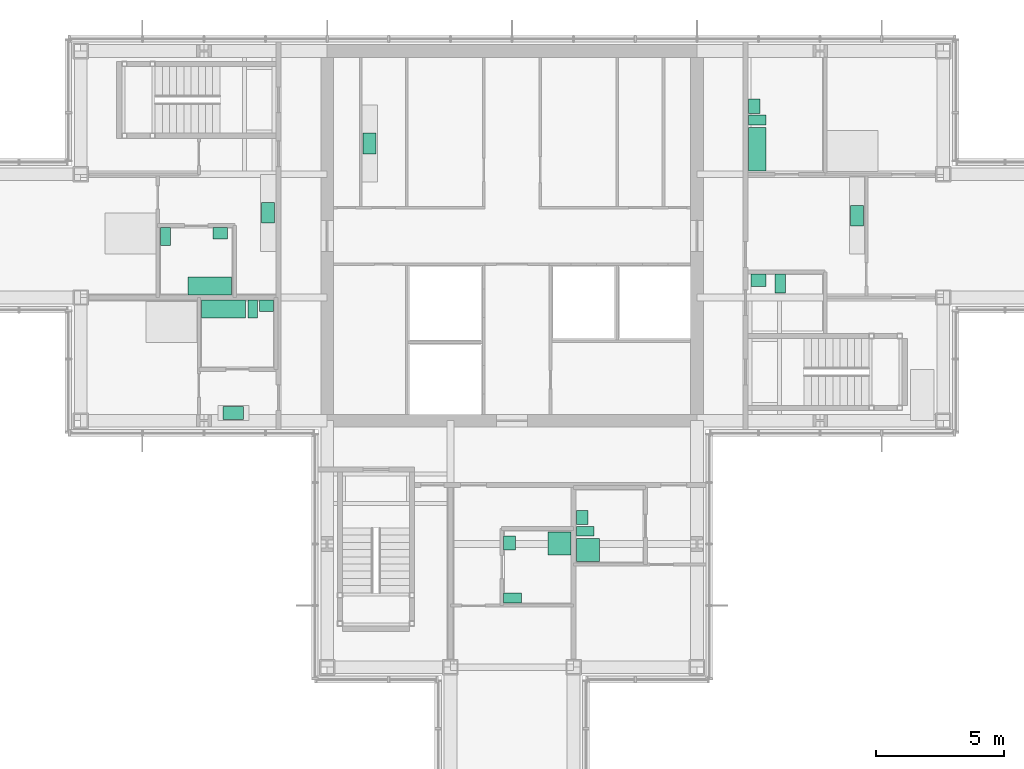
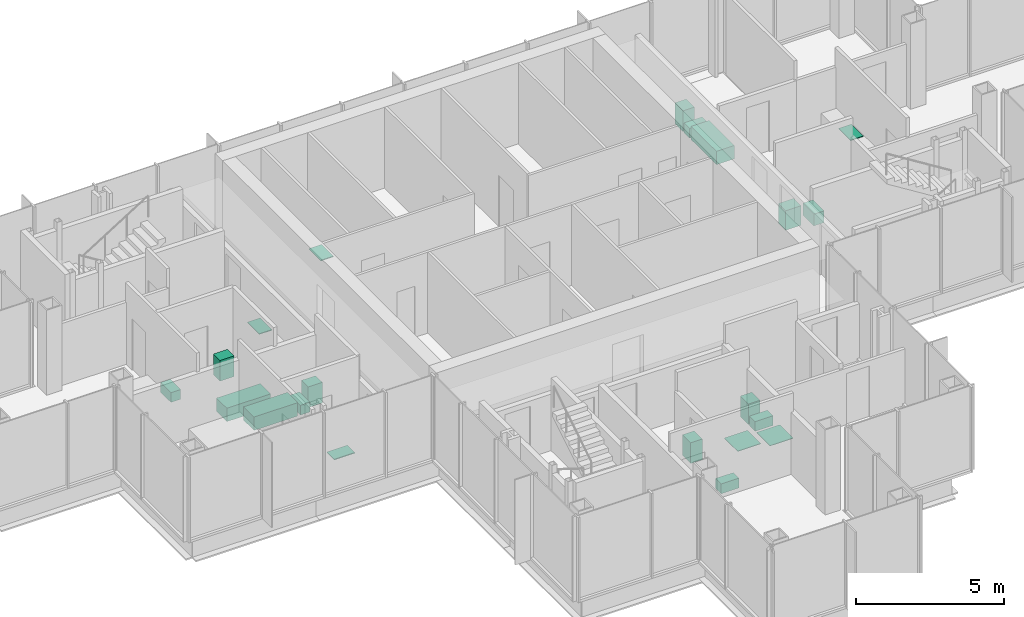
# One storey, part 14 of 15: 21 sanitary terminals.
"""IFC4 building model written with IfcOpenShell, lengths in metres."""

import ifcopenshell
import ifcopenshell.guid

model = None  # the IFC model being written
_history = None  # IfcOwnerHistory: only IFC2X3 demands one
_inside = {}  # id of a spatial element -> (the spatial element, [elements in it])
_under = {}  # id of a project, library or spatial element -> (it, [spatial elements below it])
_declared = {}  # id of a project -> (the project, [libraries it declares])
_typed = {}  # id of a type object -> (the type object, [elements of that type])
_made_of = {}  # id of a material, layer set ... -> (it, [elements and type objects made of it])


def new_model(schema):
    """Start an empty IFC model of exactly this schema.

    Asked for "IFC4X3", IfcOpenShell would pick the latest addendum, in which some entities
    have other attributes; the version numbers below select the first issue.
    IFC2X3 requires an IfcOwnerHistory on every rooted entity: one is made here for all.
    """
    global model, _history
    if schema == "IFC4X3":
        model = ifcopenshell.file(schema_version=(4, 3, 0, 0))
    else:
        model = ifcopenshell.file(schema=schema)
    _inside.clear()
    _under.clear()
    _declared.clear()
    _typed.clear()
    _made_of.clear()
    _history = None
    if model.schema == "IFC2X3":
        org = make("IfcOrganization", Name="unknown")
        user = make(
            "IfcPersonAndOrganization",
            ThePerson=make("IfcPerson", FamilyName="unknown"),
            TheOrganization=org,
        )
        app = make(
            "IfcApplication",
            ApplicationDeveloper=org,
            Version="unknown",
            ApplicationFullName="unknown",
            ApplicationIdentifier="unknown",
        )
        _history = make(
            "IfcOwnerHistory",
            OwningUser=user,
            OwningApplication=app,
            ChangeAction="ADDED",
            CreationDate=0,
        )
    return model


def make(cls, **values):
    """One entity of the class cls with the attributes given. An attribute that is None is left unset."""
    return model.create_entity(
        cls, **{name: value for name, value in values.items() if value is not None}
    )


def rooted(cls, **values):
    """An entity with a GlobalId (a new one), such as an element, a storey or a relation."""
    return make(cls, GlobalId=ifcopenshell.guid.new(), OwnerHistory=_history, **values)


def si_unit(unit_type, name, prefix=None):
    """IfcSIUnit, for example si_unit("LENGTHUNIT", "METRE", prefix="MILLI")."""
    return make("IfcSIUnit", UnitType=unit_type, Prefix=prefix, Name=name)


def assignment(units):
    """IfcUnitAssignment: the units of a project."""
    return None if units is None else make("IfcUnitAssignment", Units=units)


def point(xyz):
    """IfcCartesianPoint."""
    return None if xyz is None else make("IfcCartesianPoint", Coordinates=xyz)


def direction(xyz):
    """IfcDirection."""
    return None if xyz is None else make("IfcDirection", DirectionRatios=xyz)


def frame(location, z_axis=None, x_axis=None):
    """IfcAxis2Placement3D, a coordinate frame: its origin and axes. An axis left out is left unset."""
    return make(
        "IfcAxis2Placement3D",
        Location=point(location),
        Axis=direction(z_axis),
        RefDirection=direction(x_axis),
    )


def frame_2d(location, x_axis=None):
    """IfcAxis2Placement2D, a coordinate frame in the plane: its origin and x axis."""
    return make(
        "IfcAxis2Placement2D", Location=point(location), RefDirection=direction(x_axis)
    )


def origin():
    """The frame at (0, 0, 0) with its axes left unset."""
    return frame((0.0, 0.0, 0.0))


def origin_2d():
    """The frame at (0, 0) in the plane with its x axis left unset."""
    return frame_2d((0.0, 0.0))


def place(relative_to, where):
    """IfcLocalPlacement: puts the frame where relative to a parent placement (None: the world)."""
    return make(
        "IfcLocalPlacement", PlacementRelTo=relative_to, RelativePlacement=where
    )


def context(
    kind, dimensions, precision=None, world=None, true_north=None, identifier=None
):
    """IfcGeometricRepresentationContext, for example the 3D "Model" context."""
    return make(
        "IfcGeometricRepresentationContext",
        ContextIdentifier=identifier,
        ContextType=kind,
        CoordinateSpaceDimension=dimensions,
        Precision=precision,
        WorldCoordinateSystem=world,
        TrueNorth=true_north,
    )


def subcontext(parent, identifier, kind, view, scale=None):
    """IfcGeometricRepresentationSubContext, for example "Body" below "Model"."""
    return make(
        "IfcGeometricRepresentationSubContext",
        ContextIdentifier=identifier,
        ContextType=kind,
        ParentContext=parent,
        TargetScale=scale,
        TargetView=view,
    )


def project(units=None, contexts=None):
    """IfcProject with its units and contexts."""
    return rooted(
        "IfcProject",
        Name="project",
        RepresentationContexts=contexts,
        UnitsInContext=assignment(units),
    )


def spatial(cls, under=None, at=None, **own):
    """A site, building, storey or space (cls), placed at a placement, below another one or the project."""
    s = rooted(cls, ObjectPlacement=at, **own)
    if under is not None:
        _under.setdefault(under.id(), (under, []))[1].append(s)
    return s


def profile(cls, at=None, kind="AREA", **sizes):
    """A parametric profile (cls). Its sizes go by their IFC names, for example OverallWidth=200.0."""
    return make(cls, ProfileType=kind, Position=at, **sizes)


def rectangle(**sizes):
    """IfcRectangleProfileDef."""
    return profile("IfcRectangleProfileDef", **sizes)


def extrude(swept, where, along, depth):
    """IfcExtrudedAreaSolid: the profile swept, set in the frame where, extruded along a direction by depth."""
    return make(
        "IfcExtrudedAreaSolid",
        SweptArea=swept,
        Position=where,
        ExtrudedDirection=direction(along),
        Depth=depth,
    )


def shape(context_of_items, identifier, shape_type, items):
    """IfcShapeRepresentation: the items that make up one representation, for example the "Body"."""
    return make(
        "IfcShapeRepresentation",
        ContextOfItems=context_of_items,
        RepresentationIdentifier=identifier,
        RepresentationType=shape_type,
        Items=items,
    )


def material(Name=None, Category=None):
    """IfcMaterial."""
    return make("IfcMaterial", Name=Name, Category=Category)


def made_of(thing, what):
    """Note that an element or type object is made of a material, layer set ...; save() writes the relation."""
    if what is not None:
        _made_of.setdefault(what.id(), (what, []))[1].append(thing)
    return thing


def type_object(cls, material=None, **own):
    """A type object (cls), such as IfcWallType, which elements share."""
    return made_of(rooted(cls, **own), material)


def element(
    cls,
    number,
    at=None,
    inside=None,
    cuts=None,
    type_object=None,
    material=None,
    context=None,
    identifier="Body",
    shape_type=None,
    held_by="IfcProductDefinitionShape",
    body=None,
    shapes=None,
    **own,
):
    """One element of the class cls, such as IfcWall. Its Tag is "e" and its number.

    at: its placement. inside: the storey or other place that contains it. cuts: it is an
    opening in that element (IfcRelVoidsElement). A single representation is given by context,
    identifier, shape_type and body (its items); several are given by shapes. held_by: the class
    of the entity that holds the representations. save() writes the other relations.
    """
    e = rooted(cls, Tag="e%d" % number, ObjectPlacement=at, **own)
    if body is not None:
        shapes = [shape(context, identifier, shape_type, body)]
    if shapes is not None:
        e.Representation = make(held_by, Representations=shapes)
    if inside is not None:
        _inside.setdefault(inside.id(), (inside, []))[1].append(e)
    if cuts is not None:
        rooted(
            "IfcRelVoidsElement", RelatingBuildingElement=cuts, RelatedOpeningElement=e
        )
    if type_object is not None:
        _typed.setdefault(type_object.id(), (type_object, []))[1].append(e)
    return made_of(e, material)


def aggregate(whole, parts):
    """IfcRelAggregates: a whole, such as a stair, and the parts it consists of."""
    return rooted("IfcRelAggregates", RelatingObject=whole, RelatedObjects=parts)


def save(model, path):
    """Write the relations noted so far, then the file.

    IfcRelAggregates (storeys below a building ...), IfcRelContainedInSpatialStructure (elements
    in a storey), IfcRelDefinesByType, IfcRelAssociatesMaterial and IfcRelDeclares: one each for
    every whole, place, type object, material and project.
    """
    for whole, parts in _under.values():
        aggregate(whole, parts)
    for where, things in _inside.values():
        rooted(
            "IfcRelContainedInSpatialStructure",
            RelatedElements=things,
            RelatingStructure=where,
        )
    for kind, things in _typed.values():
        rooted("IfcRelDefinesByType", RelatedObjects=things, RelatingType=kind)
    for what, things in _made_of.values():
        rooted("IfcRelAssociatesMaterial", RelatedObjects=things, RelatingMaterial=what)
    for by, libraries in _declared.values():
        rooted("IfcRelDeclares", RelatingContext=by, RelatedDefinitions=libraries)
    model.write(path)


model = new_model("IFC4")

# Units and contexts
model_context = context("Model", 3, precision=1e-05, world=origin(), true_north=direction((0.0, 1.0)))
body_context = subcontext(model_context, "Body", "Model", "MODEL_VIEW")
ifc_project = project(units=[si_unit("LENGTHUNIT", "METRE"), si_unit("AREAUNIT", "SQUARE_METRE"), si_unit("VOLUMEUNIT", "CUBIC_METRE"), si_unit("PLANEANGLEUNIT", "RADIAN"), si_unit("MASSUNIT", "GRAM", prefix="KILO")], contexts=[model_context])

# Site, building, storey
site_placement = place(None, origin())
site = spatial("IfcSite", under=ifc_project, at=site_placement, CompositionType="ELEMENT")
building_placement = place(site_placement, origin())
building = spatial("IfcBuilding", under=site, at=building_placement, Name="Kvirike Care Tower", CompositionType="ELEMENT")
storey_placement = place(building_placement, frame((0.0, 0.0, 208.5)))
storey = spatial("IfcBuildingStorey", under=building, at=storey_placement, Name="L57", CompositionType="ELEMENT", Elevation=208.5)

# Sanitary terminals
ifc_material_1 = material(Name="Vitreous china", Category="ceramic")
sanitary_terminal_type_1 = type_object("IfcSanitaryTerminalType", Name="ACCESSIBLE WASH BASIN 600 x 500", PredefinedType="WASHHANDBASIN", material=ifc_material_1)
sanitary_terminal_1_placement = place(storey_placement, frame((31.199951171875, 34.27294921875, 0.02001953125), z_axis=(0.0, 0.0, 1.0), x_axis=(1.0, 0.0, 0.0)))
element("IfcSanitaryTerminal", 1, at=sanitary_terminal_1_placement, inside=storey, type_object=sanitary_terminal_type_1, Name="Accessible wash basin L57-024", PredefinedType="WASHHANDBASIN", context=body_context, shape_type="SweptSolid", body=[
    extrude(rectangle(XDim=0.60009765625, YDim=0.5, at=origin_2d()), origin(), (0.0, 0.0, 1.0), 0.800048828125),
])
ifc_material_2 = material(Name="Vitreous china", Category="ceramic")
sanitary_terminal_type_2 = type_object("IfcSanitaryTerminalType", Name="ACCESSIBLE WC PAN 400 x 750", PredefinedType="TOILETPAN", material=ifc_material_2)
sanitary_terminal_2_placement = place(storey_placement, frame((32.050048828125, 34.14794921875, 0.02001953125), z_axis=(0.0, 0.0, 1.0), x_axis=(1.0, 0.0, 0.0)))
element("IfcSanitaryTerminal", 2, at=sanitary_terminal_2_placement, inside=storey, type_object=sanitary_terminal_type_2, Name="Accessible WC pan L57-024", PredefinedType="TOILETPAN", context=body_context, shape_type="SweptSolid", body=[
    extrude(rectangle(XDim=0.39990234375, YDim=0.75, at=origin_2d()), origin(), (0.0, 0.0, 1.0), 0.47998046875),
])
ifc_material_3 = material(Name="Enamelled steel", Category="steel")
sanitary_terminal_type_3 = type_object("IfcSanitaryTerminalType", Name="BATH 1700 x 700", PredefinedType="BATH", material=ifc_material_3)
for number, where, z_axis, x_axis, name in (
    (3, (9.824951171875, 34.052001953125, 0.02001953125), (0.0, 0.0, 1.0), (-1.0, 0.0, 0.0), "Bath L57-005"),
    (4, (10.360107421875, 33.14794921875, 0.02001953125), (0.0, 0.0, 1.0), (1.0, 0.0, 0.0), "Bath L57-008"),
    (5, (31.152099609375, 39.375, 0.02001953125), (0.0, 0.0, 1.0), (0.0, 1.0, 0.0), "Bath L57-025"),
):
    element("IfcSanitaryTerminal", number, at=place(storey_placement, frame(where, z_axis=z_axis, x_axis=x_axis)), inside=storey, type_object=sanitary_terminal_type_3, Name=name, PredefinedType="BATH", context=body_context, shape_type="SweptSolid", body=[
        extrude(rectangle(XDim=1.699951171875, YDim=0.699951171875, at=origin_2d()), origin(), (0.0, 0.0, 1.0), 0.550048828125),
    ])
ifc_material_4 = material(Name="Stainless steel", Category="steel")
sanitary_terminal_type_4 = type_object("IfcSanitaryTerminalType", Name="KITCHEN SINK 800 x 500", PredefinedType="SINK", material=ifc_material_4)
for number, where, z_axis, x_axis, name in (
    (6, (12.097900390625, 36.89990234375, 0.89990234375), (0.0, 0.0, 1.0), (0.0, -1.0, 0.0), "Kitchen sink L57-006"),
    (7, (10.75, 29.10205078125, 0.89990234375), (0.0, 0.0, 1.0), (-1.0, 0.0, 0.0), "Kitchen sink L57-009"),
    (8, (35.0380859375, 36.7900390625, 0.89990234375), (0.0, 0.0, 1.0), (0.0, -1.0, 0.0), "Kitchen sink L57-026"),
    (9, (16.052001953125, 39.60009765625, 0.89990234375), (0.0, 0.0, 1.0), (0.0, 1.0, 0.0), "Kitchen sink L57-033"),
):
    element("IfcSanitaryTerminal", number, at=place(storey_placement, frame(where, z_axis=z_axis, x_axis=x_axis)), inside=storey, type_object=sanitary_terminal_type_4, Name=name, PredefinedType="SINK", context=body_context, shape_type="SweptSolid", body=[
        extrude(rectangle(XDim=0.800048828125, YDim=0.5, at=origin_2d()), origin(), (0.0, 0.0, 1.0), 0.030029296875),
    ])
ifc_material_5 = material(Name="Stainless steel", Category="steel")
sanitary_terminal_type_5 = type_object("IfcSanitaryTerminalType", Name="LEVEL-ACCESS SHOWER 900 x 900", PredefinedType="SHOWER", material=ifc_material_5)
for number, where, z_axis, x_axis, name in (
    (10, (23.447998046875, 24.02490234375, 0.02001953125), (0.0, 0.0, 1.0), (0.0, -1.0, 0.0), "Level-access shower L57-014"),
    (11, (24.552001953125, 23.760009765625, 0.02001953125), (0.0, 0.0, 1.0), (0.0, 1.0, 0.0), "Level-access shower L57-017"),
):
    element("IfcSanitaryTerminal", number, at=place(storey_placement, frame(where, z_axis=z_axis, x_axis=x_axis)), inside=storey, type_object=sanitary_terminal_type_5, Name=name, PredefinedType="SHOWER", context=body_context, shape_type="SweptSolid", body=[
        extrude(rectangle(XDim=0.89990234375, YDim=0.89990234375, at=origin_2d()), origin(), (0.0, 0.0, 1.0), 0.02001953125),
    ])
ifc_material_6 = material(Name="Vitreous china", Category="ceramic")
sanitary_terminal_type_6 = type_object("IfcSanitaryTerminalType", Name="WASH BASIN 550 x 450", PredefinedType="WASHHANDBASIN", material=ifc_material_6)
for number, where, z_axis, x_axis, name in (
    (12, (10.235107421875, 36.097900390625, 0.02001953125), (0.0, 0.0, 1.0), (1.0, 0.0, 0.0), "Wash basin L57-005"),
    (13, (12.034912109375, 33.27294921875, 0.02001953125), (0.0, 0.0, 1.0), (1.0, 0.0, 0.0), "Wash basin L57-008"),
    (14, (21.501953125, 24.034912109375, 0.02001953125), (0.0, 0.0, 1.0), (0.0, 1.0, 0.0), "Wash basin L57-014"),
    (15, (24.326904296875, 25.034912109375, 0.02001953125), (0.0, 0.0, 1.0), (0.0, 1.0, 0.0), "Wash basin L57-017"),
    (16, (31.027099609375, 41.050048828125, 0.02001953125), (0.0, 0.0, 1.0), (0.0, 1.0, 0.0), "Wash basin L57-025"),
):
    element("IfcSanitaryTerminal", number, at=place(storey_placement, frame(where, z_axis=z_axis, x_axis=x_axis)), inside=storey, type_object=sanitary_terminal_type_6, Name=name, PredefinedType="WASHHANDBASIN", context=body_context, shape_type="SweptSolid", body=[
        extrude(rectangle(XDim=0.550048828125, YDim=0.449951171875, at=origin_2d()), origin(), (0.0, 0.0, 1.0), 0.85009765625),
    ])
ifc_material_7 = material(Name="Vitreous china", Category="ceramic")
sanitary_terminal_type_7 = type_object("IfcSanitaryTerminalType", Name="WC PAN 380 x 700", PredefinedType="TOILETPAN", material=ifc_material_7)
for number, where, z_axis, x_axis, name in (
    (17, (8.10009765625, 35.972900390625, 0.02001953125), (0.0, 0.0, 1.0), (1.0, 0.0, 0.0), "WC pan L57-005"),
    (18, (11.5, 33.14794921875, 0.02001953125), (0.0, 0.0, 1.0), (1.0, 0.0, 0.0), "WC pan L57-008"),
    (19, (21.626953125, 21.89990234375, 0.02001953125), (0.0, 0.0, 1.0), (0.0, 1.0, 0.0), "WC pan L57-014"),
    (20, (24.451904296875, 24.5, 0.02001953125), (0.0, 0.0, 1.0), (0.0, 1.0, 0.0), "WC pan L57-017"),
    (21, (31.152099609375, 40.514892578125, 0.02001953125), (0.0, 0.0, 1.0), (0.0, 1.0, 0.0), "WC pan L57-025"),
):
    element("IfcSanitaryTerminal", number, at=place(storey_placement, frame(where, z_axis=z_axis, x_axis=x_axis)), inside=storey, type_object=sanitary_terminal_type_7, Name=name, PredefinedType="TOILETPAN", context=body_context, shape_type="SweptSolid", body=[
        extrude(rectangle(XDim=0.3798828125, YDim=0.699951171875, at=origin_2d()), origin(), (0.0, 0.0, 1.0), 0.39990234375),
    ])

save(model, "model.ifc")
